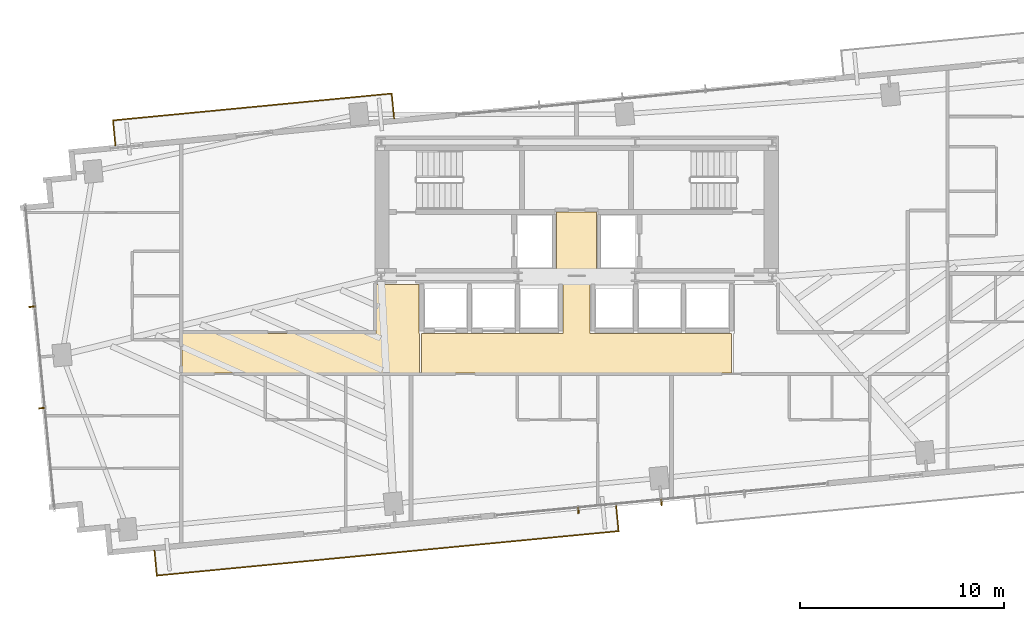
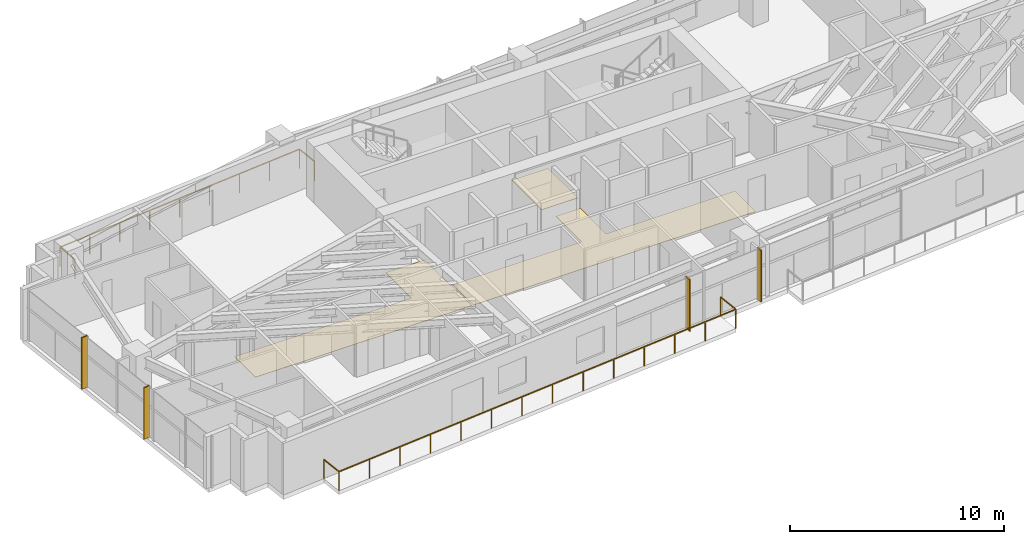
# One storey, part 25 of 27: 4 shading devices, 3 coverings, 2 railings.
"""IFC4 building model written with IfcOpenShell, lengths in metres."""

from ifc_helpers import new_model, si_unit, direction, frame, origin, origin_2d, place, context, subcontext, project, spatial, polyline, rectangle, outline, extrude, source, transform, mapped, material, layer, layer_set, type_object, type_shapes, element, save


model = new_model("IFC4")

# Units and contexts
model_context = context("Model", 3, precision=1e-05, world=origin(), true_north=direction((0.0, 1.0)))
body_context = subcontext(model_context, "Body", "Model", "MODEL_VIEW")
ifc_project = project(units=[si_unit("LENGTHUNIT", "METRE"), si_unit("AREAUNIT", "SQUARE_METRE"), si_unit("VOLUMEUNIT", "CUBIC_METRE"), si_unit("PLANEANGLEUNIT", "RADIAN"), si_unit("MASSUNIT", "GRAM", prefix="KILO")], contexts=[model_context])

# Site, building, storey
site_placement = place(None, origin())
site = spatial("IfcSite", under=ifc_project, at=site_placement, CompositionType="ELEMENT")
building_placement = place(site_placement, origin())
building = spatial("IfcBuilding", under=site, at=building_placement, Name="Astriad Promenade Condominiums", CompositionType="ELEMENT")
storey_placement = place(building_placement, frame((0.0, 0.0, 93.800048828125)))
storey = spatial("IfcBuildingStorey", under=building, at=storey_placement, Name="L26", CompositionType="ELEMENT", Elevation=93.800048828125)

# Coverings
ifc_material_1 = material(Name="Polished Lakefront Terrazzo Flooring")
ifc_layer = layer(ifc_material_1, 0.02001953125)
ifc_layer_set = layer_set([ifc_layer], Name="Polished Lakefront Terrazzo Flooring")
covering_type = type_object("IfcCoveringType", Name="COV-FLOR-TERRAZZO-20", PredefinedType="FLOORING", material=ifc_layer_set)
covering_1_placement = place(storey_placement, origin())
element("IfcCovering", 1, at=covering_1_placement, inside=storey, type_object=covering_type, Name="FLR-L26-CSL", PredefinedType="FLOORING", context=body_context, shape_type="SweptSolid", body=[
    extrude(outline(polyline([(36.97998046875, 17.7900390625), (35.02001953125, 17.7900390625), (35.02001953125, 20.580078125), (36.97998046875, 20.580078125), (36.97998046875, 17.7900390625)])), origin(), (0.0, 0.0, 1.0), 0.02001953125),
])
covering_2_placement = place(storey_placement, origin())
element("IfcCovering", 2, at=covering_2_placement, inside=storey, type_object=covering_type, Name="FLR-L26-LLB", PredefinedType="FLOORING", context=body_context, shape_type="SweptSolid", body=[
    extrude(outline(polyline([(43.610107421875, 14.610107421875), (43.610107421875, 12.669921875), (28.389892578125, 12.669921875), (28.389892578125, 14.610107421875), (35.300048828125, 14.610107421875), (35.303955078125, 14.610107421875), (35.307861328125, 14.61083984375), (35.3115234375, 14.61181640625), (35.315185546875, 14.613037109375), (35.31884765625, 14.61474609375), (35.322265625, 14.61669921875), (35.325439453125, 14.619140625), (35.328369140625, 14.62158203125), (35.330810546875, 14.62451171875), (35.333251953125, 14.627685546875), (35.335205078125, 14.631103515625), (35.3369140625, 14.634765625), (35.33837890625, 14.638427734375), (35.339111328125, 14.64208984375), (35.33984375, 14.64599609375), (35.340087890625, 14.64990234375), (35.340087890625, 17.010009765625), (36.659912109375, 17.010009765625), (36.659912109375, 14.64990234375), (36.66015625, 14.64599609375), (36.660888671875, 14.64208984375), (36.66162109375, 14.638427734375), (36.6630859375, 14.634765625), (36.664794921875, 14.631103515625), (36.666748046875, 14.627685546875), (36.669189453125, 14.62451171875), (36.671630859375, 14.62158203125), (36.674560546875, 14.619140625), (36.677734375, 14.61669921875), (36.68115234375, 14.61474609375), (36.684814453125, 14.613037109375), (36.6884765625, 14.61181640625), (36.692138671875, 14.61083984375), (36.696044921875, 14.610107421875), (36.699951171875, 14.610107421875), (43.610107421875, 14.610107421875)])), origin(), (0.0, 0.0, 1.0), 0.02001953125),
])
covering_3_placement = place(storey_placement, origin())
element("IfcCovering", 3, at=covering_3_placement, inside=storey, type_object=covering_type, Name="FLR-L26-COR-2", PredefinedType="FLOORING", context=body_context, shape_type="SweptSolid", body=[
    extrude(outline(polyline([(28.300048828125, 12.669921875), (16.639892578125, 12.669921875), (16.639892578125, 14.6201171875), (26.1201171875, 14.6201171875), (26.123779296875, 14.6201171875), (26.127685546875, 14.620849609375), (26.131591796875, 14.62158203125), (26.13525390625, 14.623046875), (26.138916015625, 14.624755859375), (26.14208984375, 14.626708984375), (26.1455078125, 14.629150390625), (26.148193359375, 14.631591796875), (26.15087890625, 14.634521484375), (26.1533203125, 14.6376953125), (26.1552734375, 14.64111328125), (26.156982421875, 14.644775390625), (26.158203125, 14.6484375), (26.1591796875, 14.652099609375), (26.159912109375, 14.656005859375), (26.159912109375, 14.659912109375), (26.159912109375, 17.010009765625), (28.260009765625, 17.010009765625), (28.260009765625, 14.64990234375), (28.26025390625, 14.64599609375), (28.2607421875, 14.64208984375), (28.26171875, 14.638427734375), (28.262939453125, 14.634765625), (28.2646484375, 14.631103515625), (28.2666015625, 14.627685546875), (28.26904296875, 14.62451171875), (28.271728515625, 14.62158203125), (28.274658203125, 14.619140625), (28.27783203125, 14.61669921875), (28.281005859375, 14.61474609375), (28.28466796875, 14.613037109375), (28.288330078125, 14.61181640625), (28.292236328125, 14.61083984375), (28.296142578125, 14.610107421875), (28.300048828125, 14.610107421875), (28.300048828125, 12.669921875)])), origin(), (0.0, 0.0, 1.0), 0.02001953125),
])

# Shading devices
ifc_material_2 = material(Name="Anodised aluminium 6063-T6 Black Fin", Category="aluminium")
shading_device_type = type_object("IfcShadingDeviceType", Name="FIN-BLACK-320", PredefinedType="USERDEFINED", material=ifc_material_2)
shared_shape_1 = source(origin(), body_context, "Body", "SweptSolid", [
    extrude(rectangle(XDim=0.06494140625, YDim=0.320068359375, at=origin_2d()), origin(), (0.0, 0.0, 1.0), 2.93994140625),
])
type_shapes(shading_device_type, [shared_shape_1])
for number, where, z_axis, x_axis, name in (
    (4, (9.766845703125, 10.954345703125, 0.0), (0.0, 0.0, 1.0), (-0.09584575252, 0.995396198367, 0.0), "CW-L26-W-FIN-01"),
    (5, (9.28759765625, 15.931396484375, 0.0), (0.0, 0.0, 1.0), (-0.09584575252, 0.995396198367, 0.0), "CW-L26-W-FIN-02"),
    (6, (40.159423828125, 6.3359375, 0.0), (0.0, 0.0, 1.0), (-0.995396198367, -0.09584575252, 0.0), "CW-L26-S-FIN-02"),
    (7, (36.083251953125, 5.943603515625, 0.0), (0.0, 0.0, 1.0), (-0.995396198367, -0.09584575252, 0.0), "CW-L26-S-FIN-03"),
):
    element("IfcShadingDevice", number, at=place(storey_placement, frame(where, z_axis=z_axis, x_axis=x_axis)), inside=storey, type_object=shading_device_type, Name=name, ObjectType="FIN", PredefinedType="USERDEFINED", context=body_context, shape_type="MappedRepresentation", body=[
        mapped(shared_shape_1, transform((0.0, 0.0, 0.0), scale=1.0)),
    ])

# Railings
ifc_material_3 = material(Name="Laminated Glass and Stainless Steel Balustrade", Category="steel")
railing_type = type_object("IfcRailingType", Name="GRD-BALC-1120", PredefinedType="BALUSTRADE", material=ifc_material_3)
shared_shape_2 = source(origin(), body_context, "Body", "SweptSolid", [
    extrude(rectangle(XDim=0.048095703125, YDim=0.048095703125, at=origin_2d()), frame((0.0, 0.0, 1.09619140625), z_axis=(0.095857307208, -0.99539508571, 0.0), x_axis=(0.99539508571, 0.095857307208, 0.0)), (0.0, 0.0, 1.0), 1.219970703125),
    extrude(rectangle(XDim=0.048095703125, YDim=0.048095703125, at=origin_2d()), frame((0.116943359375, -1.21435546875, 1.09619140625), z_axis=(0.995396207402, 0.095845658693, 0.0), x_axis=(-0.095845658693, 0.995396207402, 0.0)), (0.0, 0.0, 1.0), 22.761962890625),
    extrude(rectangle(XDim=0.048095703125, YDim=0.048095703125, at=origin_2d()), frame((22.774169921875, 0.96728515625, 1.09619140625), z_axis=(-0.095857307208, 0.99539508571, 0.0), x_axis=(-0.99539508571, -0.095857307208, 0.0)), (0.0, 0.0, 1.0), 1.219970703125),
    extrude(rectangle(XDim=0.0419921875, YDim=0.0419921875, at=origin_2d()), origin(), (0.0, 0.0, 1.0), 1.072021484375),
    extrude(rectangle(XDim=0.0419921875, YDim=0.0419921875, at=origin_2d()), frame((0.116943359375, -1.21435546875, 0.0)), (0.0, 0.0, 1.0), 1.072021484375),
    extrude(rectangle(XDim=0.0419921875, YDim=0.0419921875, at=origin_2d()), frame((1.85986328125, -1.046630859375, 0.0)), (0.0, 0.0, 1.0), 1.072021484375),
    extrude(rectangle(XDim=0.0419921875, YDim=0.0419921875, at=origin_2d()), frame((3.602783203125, -0.878662109375, 0.0)), (0.0, 0.0, 1.0), 1.072021484375),
    extrude(rectangle(XDim=0.0419921875, YDim=0.0419921875, at=origin_2d()), frame((5.345458984375, -0.7109375, 0.0)), (0.0, 0.0, 1.0), 1.072021484375),
    extrude(rectangle(XDim=0.0419921875, YDim=0.0419921875, at=origin_2d()), frame((7.08837890625, -0.54296875, 0.0)), (0.0, 0.0, 1.0), 1.072021484375),
    extrude(rectangle(XDim=0.0419921875, YDim=0.0419921875, at=origin_2d()), frame((8.831298828125, -0.375244140625, 0.0)), (0.0, 0.0, 1.0), 1.072021484375),
    extrude(rectangle(XDim=0.0419921875, YDim=0.0419921875, at=origin_2d()), frame((10.57421875, -0.20751953125, 0.0)), (0.0, 0.0, 1.0), 1.072021484375),
    extrude(rectangle(XDim=0.0419921875, YDim=0.0419921875, at=origin_2d()), frame((12.31689453125, -0.03955078125, 0.0)), (0.0, 0.0, 1.0), 1.072021484375),
    extrude(rectangle(XDim=0.0419921875, YDim=0.0419921875, at=origin_2d()), frame((14.059814453125, 0.128173828125, 0.0)), (0.0, 0.0, 1.0), 1.072021484375),
    extrude(rectangle(XDim=0.0419921875, YDim=0.0419921875, at=origin_2d()), frame((15.802734375, 0.2958984375, 0.0)), (0.0, 0.0, 1.0), 1.072021484375),
    extrude(rectangle(XDim=0.0419921875, YDim=0.0419921875, at=origin_2d()), frame((17.545654296875, 0.4638671875, 0.0)), (0.0, 0.0, 1.0), 1.072021484375),
    extrude(rectangle(XDim=0.0419921875, YDim=0.0419921875, at=origin_2d()), frame((19.288330078125, 0.631591796875, 0.0)), (0.0, 0.0, 1.0), 1.072021484375),
    extrude(rectangle(XDim=0.0419921875, YDim=0.0419921875, at=origin_2d()), frame((21.03125, 0.799560546875, 0.0)), (0.0, 0.0, 1.0), 1.072021484375),
    extrude(rectangle(XDim=0.0419921875, YDim=0.0419921875, at=origin_2d()), frame((22.774169921875, 0.96728515625, 0.0)), (0.0, 0.0, 1.0), 1.072021484375),
    extrude(rectangle(XDim=0.0419921875, YDim=0.0419921875, at=origin_2d()), frame((22.6572265625, 2.181640625, 0.0)), (0.0, 0.0, 1.0), 1.072021484375),
])
railing_1_placement = place(storey_placement, frame((15.284423828125, 3.950927734375, 0.0)))
element("IfcRailing", 8, at=railing_1_placement, inside=storey, type_object=railing_type, Name="GRD-BALC-L26-SW", PredefinedType="BALUSTRADE", context=body_context, shape_type="MappedRepresentation", body=[
    mapped(shared_shape_2, transform((0.0, 0.0, 0.0), scale=1.0)),
])
shared_shape_3 = source(origin(), body_context, "Body", "SweptSolid", [
    extrude(rectangle(XDim=0.048095703125, YDim=0.048095703125, at=origin_2d()), frame((0.0, 0.0, 1.09619140625), z_axis=(-0.095659020692, 0.99541416092, 0.0), x_axis=(-0.99541416092, -0.095659020692, 0.0)), (0.0, 0.0, 1.0), 1.219970703125),
    extrude(rectangle(XDim=0.048095703125, YDim=0.048095703125, at=origin_2d()), frame((-0.11669921875, 1.21435546875, 1.09619140625), z_axis=(-0.995395736081, -0.095850553421, 0.0), x_axis=(0.095850553421, -0.995395736081, 0.0)), (0.0, 0.0, 1.0), 13.739013671875),
    extrude(rectangle(XDim=0.048095703125, YDim=0.048095703125, at=origin_2d()), frame((-13.79248046875, -0.1025390625, 1.09619140625), z_axis=(0.095857307208, -0.99539508571, 0.0), x_axis=(0.99539508571, 0.095857307208, 0.0)), (0.0, 0.0, 1.0), 1.219970703125),
    extrude(rectangle(XDim=0.0419921875, YDim=0.0419921875, at=origin_2d()), origin(), (0.0, 0.0, 1.0), 1.072021484375),
    extrude(rectangle(XDim=0.0419921875, YDim=0.0419921875, at=origin_2d()), frame((-0.11669921875, 1.21435546875, 0.0)), (0.0, 0.0, 1.0), 1.072021484375),
    extrude(rectangle(XDim=0.0419921875, YDim=0.0419921875, at=origin_2d()), frame((-1.826171875, 1.0498046875, 0.0)), (0.0, 0.0, 1.0), 1.072021484375),
    extrude(rectangle(XDim=0.0419921875, YDim=0.0419921875, at=origin_2d()), frame((-3.53564453125, 0.88525390625, 0.0)), (0.0, 0.0, 1.0), 1.072021484375),
    extrude(rectangle(XDim=0.0419921875, YDim=0.0419921875, at=origin_2d()), frame((-5.2451171875, 0.720458984375, 0.0)), (0.0, 0.0, 1.0), 1.072021484375),
    extrude(rectangle(XDim=0.0419921875, YDim=0.0419921875, at=origin_2d()), frame((-6.95458984375, 0.555908203125, 0.0)), (0.0, 0.0, 1.0), 1.072021484375),
    extrude(rectangle(XDim=0.0419921875, YDim=0.0419921875, at=origin_2d()), frame((-8.6640625, 0.391357421875, 0.0)), (0.0, 0.0, 1.0), 1.072021484375),
    extrude(rectangle(XDim=0.0419921875, YDim=0.0419921875, at=origin_2d()), frame((-10.37353515625, 0.2265625, 0.0)), (0.0, 0.0, 1.0), 1.072021484375),
    extrude(rectangle(XDim=0.0419921875, YDim=0.0419921875, at=origin_2d()), frame((-12.0830078125, 0.06201171875, 0.0)), (0.0, 0.0, 1.0), 1.072021484375),
    extrude(rectangle(XDim=0.0419921875, YDim=0.0419921875, at=origin_2d()), frame((-13.79248046875, -0.1025390625, 0.0)), (0.0, 0.0, 1.0), 1.072021484375),
    extrude(rectangle(XDim=0.0419921875, YDim=0.0419921875, at=origin_2d()), frame((-13.675537109375, -1.31689453125, 0.0)), (0.0, 0.0, 1.0), 1.072021484375),
])
type_shapes(railing_type, [shared_shape_2, shared_shape_3])
railing_2_placement = place(storey_placement, frame((27.043212890625, 25.17578125, 0.0)))
element("IfcRailing", 9, at=railing_2_placement, inside=storey, type_object=railing_type, Name="GRD-BALC-L26-NW", PredefinedType="BALUSTRADE", context=body_context, shape_type="MappedRepresentation", body=[
    mapped(shared_shape_3, transform((0.0, 0.0, 0.0), scale=1.0)),
])

save(model, "model.ifc")
